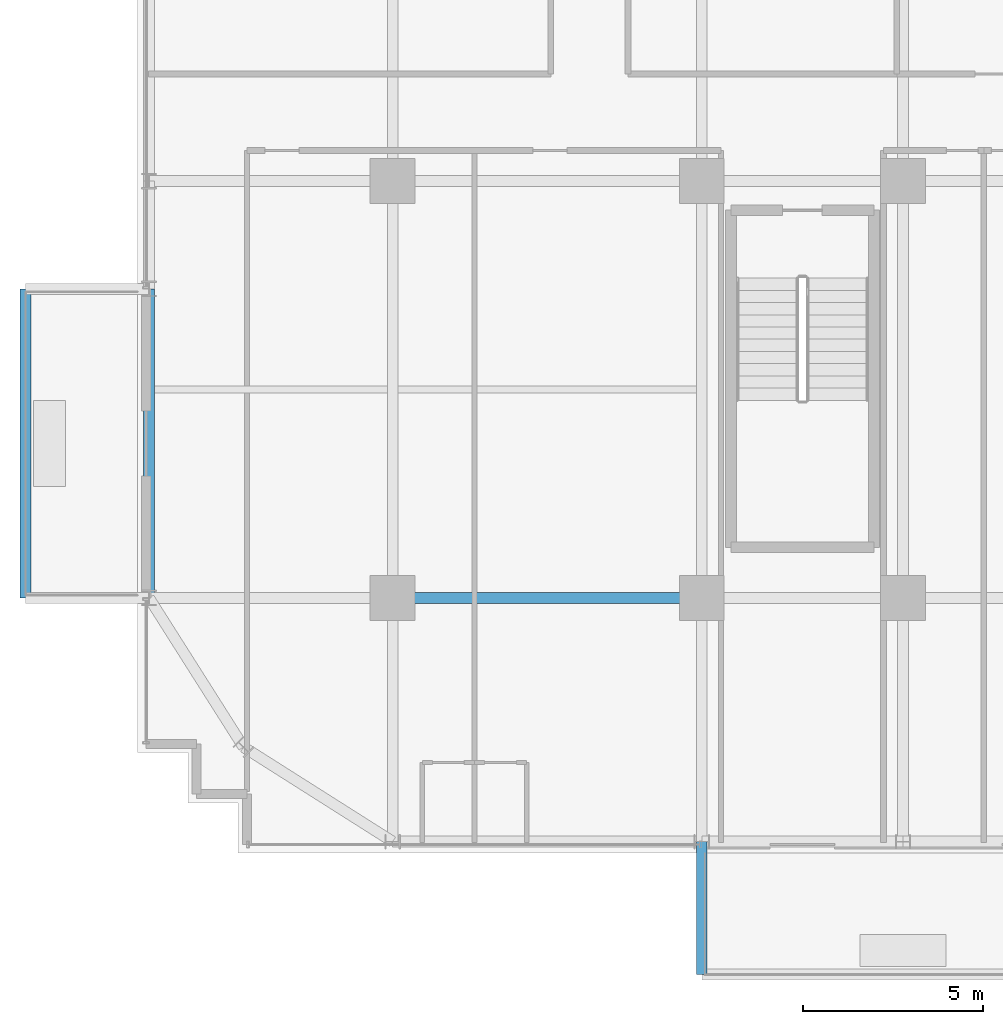
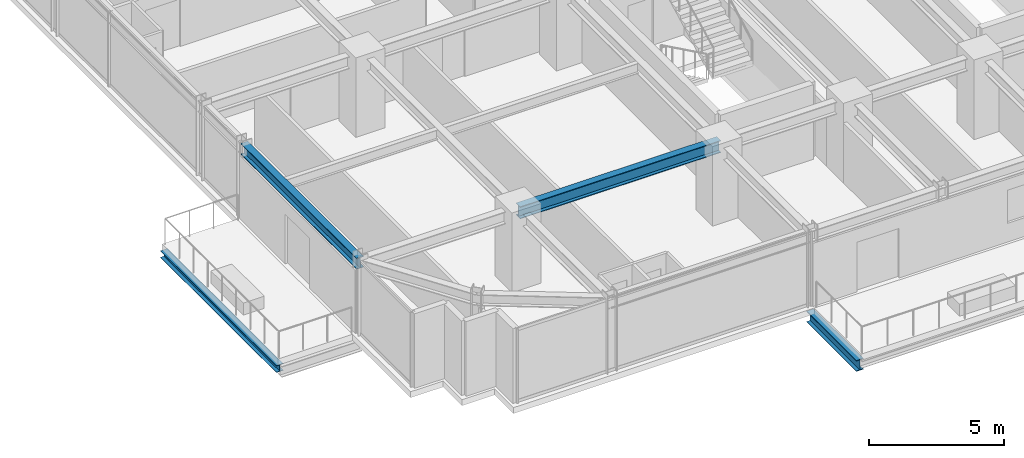
# One storey, part 4 of 31: 4 beams.
"""IFC4 building model written with IfcOpenShell, lengths in metres."""

from ifc_helpers import new_model, si_unit, direction, frame, origin, origin_2d, place, context, subcontext, project, spatial, i_section, extrude, source, transform, mapped, material, material_profile, profile_set, type_object, element, save


model = new_model("IFC4")

# Units and contexts
model_context = context("Model", 3, precision=1e-05, world=origin(), true_north=direction((0.0, 1.0)))
body_context = subcontext(model_context, "Body", "Model", "MODEL_VIEW")
ifc_project = project(units=[si_unit("LENGTHUNIT", "METRE"), si_unit("AREAUNIT", "SQUARE_METRE"), si_unit("VOLUMEUNIT", "CUBIC_METRE"), si_unit("PLANEANGLEUNIT", "RADIAN"), si_unit("MASSUNIT", "GRAM", prefix="KILO")], contexts=[model_context])

# Site, building, storey
site_placement = place(None, origin())
site = spatial("IfcSite", under=ifc_project, at=site_placement, CompositionType="ELEMENT")
building_placement = place(site_placement, origin())
building = spatial("IfcBuilding", under=site, at=building_placement, Name="Nahalor Promenade Grand Hotel", CompositionType="ELEMENT")
storey_placement = place(building_placement, frame((0.0, 0.0, 95.60009765625)))
storey = spatial("IfcBuildingStorey", under=building, at=storey_placement, Name="L23", CompositionType="ELEMENT", Elevation=95.60009765625)

# Beams
ifc_material = material(Name="Steel S355JR", Category="steel")
ifc_material_profile_1 = material_profile(ifc_material, i_section(OverallWidth=0.3, OverallDepth=0.32, WebThickness=0.0115, FlangeThickness=0.0205, at=origin_2d()), Name="HEB 320")
ifc_profile_set_1 = profile_set([ifc_material_profile_1], Name="Steel S355JR")
beam_type_1 = type_object("IfcBeamType", Name="Beam-BalcEdge-HEB320", PredefinedType="SPANDREL", material=ifc_profile_set_1)
shared_shape_1 = source(origin(), body_context, "Body", "SweptSolid", [
    extrude(i_section(OverallWidth=0.3, OverallDepth=0.32, WebThickness=0.0115, FlangeThickness=0.0205, at=origin_2d()), origin(), (0.0, 0.0, 1.0), 8.60009765625),
])
beam_1_placement = place(storey_placement, frame((-27.219970703125, -17.0, -0.440185546875), z_axis=(0.0, 1.0, 0.0), x_axis=(-1.0, 0.0, 0.0)))
element("IfcBeam", 1, at=beam_1_placement, inside=storey, type_object=beam_type_1, Name="BM-L23-BC-02-F", PredefinedType="SPANDREL", context=body_context, shape_type="MappedRepresentation", body=[
    mapped(shared_shape_1, transform((0.0, 0.0, 0.0), scale=1.0)),
])
ifc_material_profile_2 = material_profile(ifc_material, i_section(OverallWidth=0.3, OverallDepth=0.5, WebThickness=0.0145, FlangeThickness=0.028, at=origin_2d()), Name="HEB 500")
ifc_profile_set_2 = profile_set([ifc_material_profile_2], Name="Steel S355JR")
beam_type_2 = type_object("IfcBeamType", Name="Beam-Outrigger-HEB500", PredefinedType="BEAM", material=ifc_profile_set_2)
shared_shape_2 = source(origin(), body_context, "Body", "SweptSolid", [
    extrude(i_section(OverallWidth=0.3, OverallDepth=0.5, WebThickness=0.0145, FlangeThickness=0.028, at=origin_2d()), origin(), (0.0, 0.0, 1.0), 3.699951171875),
])
beam_2_placement = place(storey_placement, frame((-8.39990234375, -27.47998046875, -0.530029296875), z_axis=(0.0, 1.0, 0.0), x_axis=(-1.0, 0.0, 0.0)))
element("IfcBeam", 2, at=beam_2_placement, inside=storey, type_object=beam_type_2, Name="BM-L23-BC-01-1", PredefinedType="BEAM", context=body_context, shape_type="MappedRepresentation", body=[
    mapped(shared_shape_2, transform((0.0, 0.0, 0.0), scale=1.0)),
])
ifc_material_profile_3 = material_profile(ifc_material, i_section(OverallWidth=0.3, OverallDepth=0.5, WebThickness=0.0145, FlangeThickness=0.028, at=origin_2d()), Name="HEB 500")
ifc_profile_set_3 = profile_set([ifc_material_profile_3], Name="Steel S355JR")
beam_type_3 = type_object("IfcBeamType", Name="Beam-Spandrel-HEB500", PredefinedType="SPANDREL", material=ifc_profile_set_3)
shared_shape_3 = source(origin(), body_context, "Body", "SweptSolid", [
    extrude(i_section(OverallWidth=0.3, OverallDepth=0.5, WebThickness=0.0145, FlangeThickness=0.028, at=origin_2d()), origin(), (0.0, 0.0, 1.0), 8.60009765625),
])
beam_3_placement = place(storey_placement, frame((-23.780029296875, -17.0, 3.1298828125), z_axis=(0.0, 1.0, 0.0), x_axis=(-1.0, 0.0, 0.0)))
element("IfcBeam", 3, at=beam_3_placement, inside=storey, type_object=beam_type_3, Name="BM-L23-SP-W-0", PredefinedType="SPANDREL", context=body_context, shape_type="MappedRepresentation", body=[
    mapped(shared_shape_3, transform((0.0, 0.0, 0.0), scale=1.0)),
])
ifc_material_profile_4 = material_profile(ifc_material, i_section(OverallWidth=0.3, OverallDepth=0.55, WebThickness=0.015, FlangeThickness=0.029, at=origin_2d()), Name="HEB 550")
ifc_profile_set_4 = profile_set([ifc_material_profile_4], Name="Steel S355JR")
beam_type_4 = type_object("IfcBeamType", Name="Beam-Girder-HEB550", PredefinedType="BEAM", material=ifc_profile_set_4)
shared_shape_4 = source(origin(), body_context, "Body", "SweptSolid", [
    extrude(i_section(OverallWidth=0.3, OverallDepth=0.55, WebThickness=0.015, FlangeThickness=0.029, at=origin_2d()), origin(), (0.0, 0.0, 1.0), 8.60009765625),
])
beam_4_placement = place(storey_placement, frame((-17.0, -17.0, 3.10498046875), z_axis=(1.0, 0.0, 0.0), x_axis=(0.0, 1.0, 0.0)))
element("IfcBeam", 4, at=beam_4_placement, inside=storey, type_object=beam_type_4, Name="BM-L23-GX-0-1", PredefinedType="BEAM", context=body_context, shape_type="MappedRepresentation", body=[
    mapped(shared_shape_4, transform((0.0, 0.0, 0.0), scale=1.0)),
])

save(model, "model.ifc")
